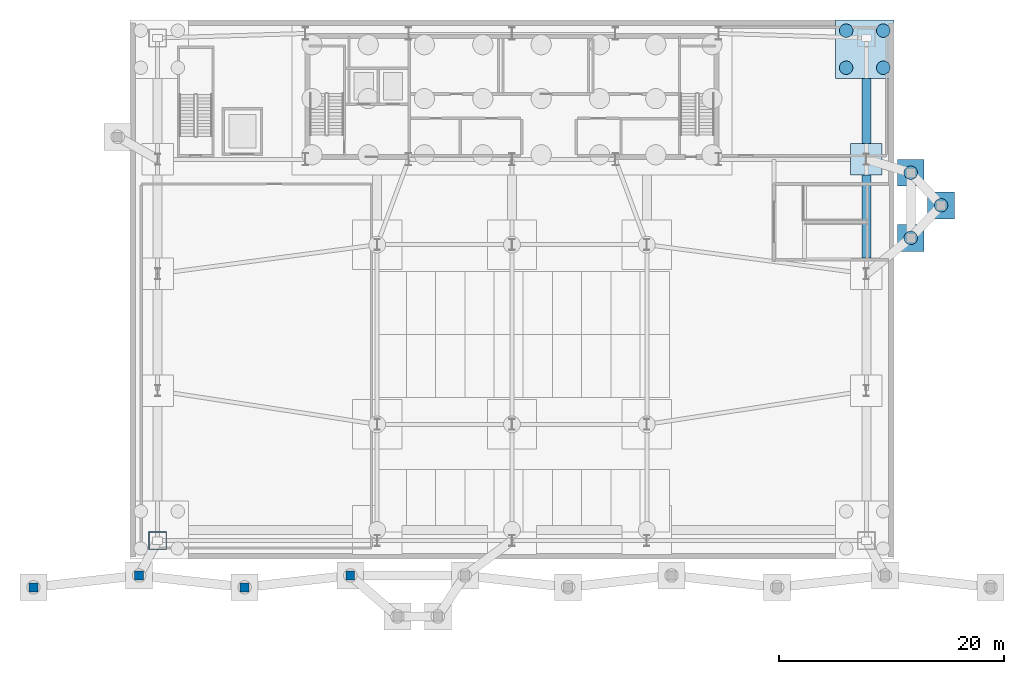
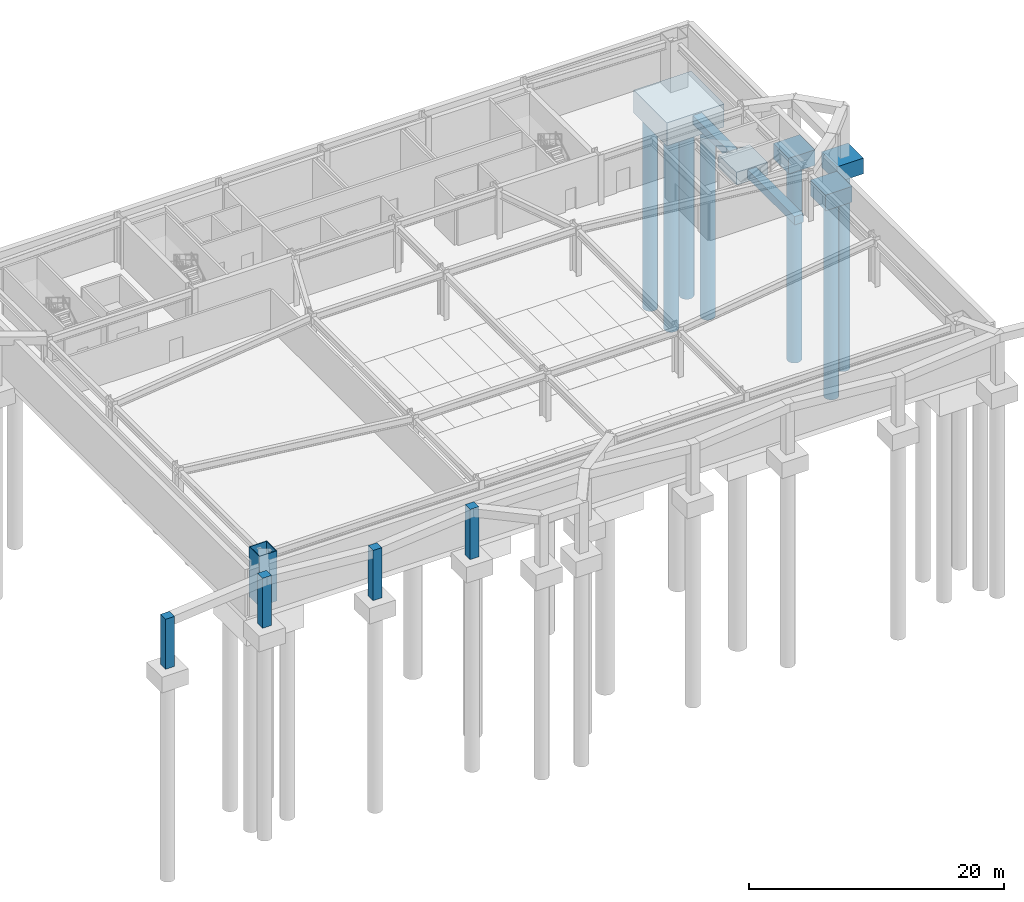
# One storey, part 2 of 12: 7 footings, 7 piles, 5 columns.
"""IFC4 building model written with IfcOpenShell, lengths in metres."""

from ifc_helpers import new_model, si_unit, direction, frame, origin, origin_2d, place, context, subcontext, project, spatial, polyline, rectangle, hollow_rectangle, circle, outline, extrude, source, transform, mapped, material, material_profile, profile_set, type_object, type_shapes, element, save


model = new_model("IFC4")

# Units and contexts
model_context = context("Model", 3, precision=1e-05, world=origin(), true_north=direction((0.0, 1.0)))
body_context = subcontext(model_context, "Body", "Model", "MODEL_VIEW")
ifc_project = project(units=[si_unit("LENGTHUNIT", "METRE"), si_unit("AREAUNIT", "SQUARE_METRE"), si_unit("VOLUMEUNIT", "CUBIC_METRE"), si_unit("PLANEANGLEUNIT", "RADIAN"), si_unit("MASSUNIT", "GRAM", prefix="KILO")], contexts=[model_context])

# Site, building, storey
site_placement = place(None, origin())
site = spatial("IfcSite", under=ifc_project, at=site_placement, CompositionType="ELEMENT")
building_placement = place(site_placement, origin())
building = spatial("IfcBuilding", under=site, at=building_placement, Name="Varnel Quay Broadcast Tower", CompositionType="ELEMENT")
storey_placement = place(building_placement, frame((0.0, 0.0, -9.60009765625)))
storey = spatial("IfcBuildingStorey", under=building, at=storey_placement, Name="B2", CompositionType="ELEMENT", Elevation=-9.60009765625)

# Footings
ifc_material_1 = material(Name="Concrete CSA A23.3 C50/60", Category="concrete")
footing_type_1 = type_object("IfcFootingType", Name="Footing_MegaCap5200", PredefinedType="PILE_CAP", material=ifc_material_1)
footing_1_placement = place(storey_placement, frame((0.0, 0.0, -2.699951171875)))
element("IfcFooting", 1, at=footing_1_placement, inside=storey, type_object=footing_type_1, Name="Mega-Column Pile Cap FT-MC-NE", PredefinedType="PILE_CAP", context=body_context, shape_type="SweptSolid", body=[
    extrude(outline(polyline([(62.800048828125, 42.800048828125), (68.0, 42.800048828125), (68.0, 48.0), (62.800048828125, 48.0), (62.800048828125, 42.800048828125)])), origin(), (0.0, 0.0, 1.0), 2.199951171875),
])
footing_type_2 = type_object("IfcFootingType", Name="Footing_Pad2800", PredefinedType="PAD_FOOTING", material=ifc_material_1)
footing_2_placement = place(storey_placement, frame((0.0, 0.0, -1.699951171875)))
element("IfcFooting", 2, at=footing_2_placement, inside=storey, type_object=footing_type_2, Name="Perimeter Pad Footing PF14", PredefinedType="PAD_FOOTING", context=body_context, shape_type="SweptSolid", body=[
    extrude(outline(polyline([(64.14990234375, 34.199951171875), (66.949951171875, 34.199951171875), (66.949951171875, 37.0), (64.14990234375, 37.0), (64.14990234375, 34.199951171875)])), origin(), (0.0, 0.0, 1.0), 1.199951171875),
])
footing_type_3 = type_object("IfcFootingType", Name="Footing_PromCap2400", PredefinedType="PILE_CAP", material=ifc_material_1)
footing_3_placement = place(storey_placement, frame((0.0, 0.0, -1.5)))
element("IfcFooting", 3, at=footing_3_placement, inside=storey, type_object=footing_type_3, Name="Exterior Pier Pile Cap EAPR1", PredefinedType="PILE_CAP", context=body_context, shape_type="SweptSolid", body=[
    extrude(outline(polyline([(68.300048828125, 27.39990234375), (70.699951171875, 27.39990234375), (70.699951171875, 29.800048828125), (68.300048828125, 29.800048828125), (68.300048828125, 27.39990234375)])), origin(), (0.0, 0.0, 1.0), 1.5),
])
footing_4_placement = place(storey_placement, frame((0.0, 0.0, -1.5)))
element("IfcFooting", 4, at=footing_4_placement, inside=storey, type_object=footing_type_3, Name="Exterior Pier Pile Cap EAPR2", PredefinedType="PILE_CAP", context=body_context, shape_type="SweptSolid", body=[
    extrude(outline(polyline([(68.300048828125, 33.199951171875), (70.699951171875, 33.199951171875), (70.699951171875, 35.60009765625), (68.300048828125, 35.60009765625), (68.300048828125, 33.199951171875)])), origin(), (0.0, 0.0, 1.0), 1.5),
])
footing_5_placement = place(storey_placement, frame((0.0, 0.0, -1.5)))
element("IfcFooting", 5, at=footing_5_placement, inside=storey, type_object=footing_type_3, Name="Exterior Pier Pile Cap EAPR3", PredefinedType="PILE_CAP", context=body_context, shape_type="SweptSolid", body=[
    extrude(outline(polyline([(71.0, 30.300048828125), (73.39990234375, 30.300048828125), (73.39990234375, 32.699951171875), (71.0, 32.699951171875), (71.0, 30.300048828125)])), origin(), (0.0, 0.0, 1.0), 1.5),
])

# Piles
ifc_material_profile_1 = material_profile(ifc_material_1, circle(Radius=0.60009765625, at=origin_2d()), Name="CAISSON1200")
ifc_profile_set_1 = profile_set([ifc_material_profile_1], Name="Concrete CSA A23.3 C50/60")
pile_type = type_object("IfcPileType", Name="Pile_CAISSON1200", PredefinedType="BORED", material=ifc_profile_set_1)
shared_shape_1 = source(origin(), body_context, "Body", "SweptSolid", [
    extrude(circle(Radius=0.60009765625, at=origin_2d()), origin(), (0.0, 0.0, 1.0), 18.5),
])
for number, where, z_axis, x_axis, name in (
    (6, (63.75, 43.75, -2.5498046875), (0.0, 0.0, -1.0), (1.0, 0.0, 0.0), "Mega-Cap Caisson P-1200 #33"),
    (7, (63.75, 47.050048828125, -2.5498046875), (0.0, 0.0, -1.0), (1.0, 0.0, 0.0), "Mega-Cap Caisson P-1200 #34"),
    (8, (67.050048828125, 43.75, -2.5498046875), (0.0, 0.0, -1.0), (1.0, 0.0, 0.0), "Mega-Cap Caisson P-1200 #35"),
    (9, (67.050048828125, 47.050048828125, -2.5498046875), (0.0, 0.0, -1.0), (1.0, 0.0, 0.0), "Mega-Cap Caisson P-1200 #36"),
):
    element("IfcPile", number, at=place(storey_placement, frame(where, z_axis=z_axis, x_axis=x_axis)), inside=storey, type_object=pile_type, Name=name, PredefinedType="BORED", context=body_context, shape_type="MappedRepresentation", body=[
        mapped(shared_shape_1, transform((0.0, 0.0, 0.0), x_axis=(1.0, 0.0, 0.0), y_axis=(0.0, 1.0, 0.0), z_axis=(0.0, 0.0, 1.0), scale=1.0)),
    ])

# Footings
ifc_material_profile_2 = material_profile(ifc_material_1, rectangle(XDim=0.800048828125, YDim=0.800048828125, at=origin_2d()), Name="RC800X800")
ifc_profile_set_2 = profile_set([ifc_material_profile_2], Name="Concrete CSA A23.3 C50/60")
footing_type_4 = type_object("IfcFootingType", Name="Footing_TieBeam800", PredefinedType="FOOTING_BEAM", material=ifc_profile_set_2)
shared_shape_2 = source(origin(), body_context, "Body", "SweptSolid", [
    extrude(rectangle(XDim=0.800048828125, YDim=0.800048828125, at=origin_2d()), origin(), (0.0, 0.0, 1.0), 7.39990234375),
])
footing_6_placement = place(storey_placement, frame((65.550048828125, 26.800048828125, -1.0), z_axis=(0.0, 1.0, 0.0), x_axis=(-1.0, 0.0, 0.0)))
element("IfcFooting", 10, at=footing_6_placement, inside=storey, type_object=footing_type_4, Name="Footing Tie Beam FB-E3", PredefinedType="FOOTING_BEAM", context=body_context, shape_type="MappedRepresentation", body=[
    mapped(shared_shape_2, transform((0.0, 0.0, 0.0), x_axis=(1.0, 0.0, 0.0), y_axis=(0.0, 1.0, 0.0), z_axis=(0.0, 0.0, 1.0), scale=1.0)),
])
shared_shape_3 = source(origin(), body_context, "Body", "SweptSolid", [
    extrude(rectangle(XDim=0.800048828125, YDim=0.800048828125, at=origin_2d()), origin(), (0.0, 0.0, 1.0), 5.800048828125),
])
type_shapes(footing_type_4, [shared_shape_2, shared_shape_3])
footing_7_placement = place(storey_placement, frame((65.550048828125, 37.0, -1.0), z_axis=(0.0, 1.0, 0.0), x_axis=(-1.0, 0.0, 0.0)))
element("IfcFooting", 11, at=footing_7_placement, inside=storey, type_object=footing_type_4, Name="Footing Tie Beam FB-E4", PredefinedType="FOOTING_BEAM", context=body_context, shape_type="MappedRepresentation", body=[
    mapped(shared_shape_3, transform((0.0, 0.0, 0.0), x_axis=(1.0, 0.0, 0.0), y_axis=(0.0, 1.0, 0.0), z_axis=(0.0, 0.0, 1.0), scale=1.0)),
])

# Piles
shared_shape_4 = source(origin(), body_context, "Body", "SweptSolid", [
    extrude(circle(Radius=0.60009765625, at=origin_2d()), origin(), (0.0, 0.0, 1.0), 19.0),
])
type_shapes(pile_type, [shared_shape_1, shared_shape_4])
for number, where, z_axis, x_axis, name in (
    (12, (69.5, 28.60009765625, -1.349853515625), (0.0, 0.0, -1.0), (1.0, 0.0, 0.0), "Exterior Pier Caisson P-1200 #62"),
    (13, (69.5, 34.39990234375, -1.349853515625), (0.0, 0.0, -1.0), (1.0, 0.0, 0.0), "Exterior Pier Caisson P-1200 #63"),
    (14, (72.199951171875, 31.5, -1.349853515625), (0.0, 0.0, -1.0), (1.0, 0.0, 0.0), "Exterior Pier Caisson P-1200 #64"),
):
    element("IfcPile", number, at=place(storey_placement, frame(where, z_axis=z_axis, x_axis=x_axis)), inside=storey, type_object=pile_type, Name=name, PredefinedType="BORED", context=body_context, shape_type="MappedRepresentation", body=[
        mapped(shared_shape_4, transform((0.0, 0.0, 0.0), x_axis=(1.0, 0.0, 0.0), y_axis=(0.0, 1.0, 0.0), z_axis=(0.0, 0.0, 1.0), scale=1.0)),
    ])

# Columns
ifc_material_profile_3 = material_profile(ifc_material_1, rectangle(XDim=0.800048828125, YDim=0.800048828125, at=origin_2d()), Name="RC800X800")
ifc_profile_set_3 = profile_set([ifc_material_profile_3], Name="Concrete CSA A23.3 C50/60")
column_type_1 = type_object("IfcColumnType", Name="Col_RC800X800", PredefinedType="COLUMN", material=ifc_profile_set_3)
shared_shape_5 = source(origin(), body_context, "Body", "SweptSolid", [
    extrude(rectangle(XDim=0.800048828125, YDim=0.800048828125, at=origin_2d()), origin(), (0.0, 0.0, 1.0), 4.800048828125),
])
type_shapes(column_type_1, [shared_shape_5])
for number, where, z_axis, x_axis, name in (
    (15, (-8.60009765625, -2.5, 0.0), (0.0, 0.0, 1.0), (1.0, 0.0, 0.0), "B2 Exterior Pier Column PRM01"),
    (16, (0.800048828125, -1.449951171875, 0.0), (0.0, 0.0, 1.0), (1.0, 0.0, 0.0), "B2 Exterior Pier Column PRM02"),
    (17, (10.199951171875, -2.5, 0.0), (0.0, 0.0, 1.0), (1.0, 0.0, 0.0), "B2 Exterior Pier Column PRM03"),
    (18, (19.60009765625, -1.449951171875, 0.0), (0.0, 0.0, 1.0), (1.0, 0.0, 0.0), "B2 Exterior Pier Column PRM04"),
):
    element("IfcColumn", number, at=place(storey_placement, frame(where, z_axis=z_axis, x_axis=x_axis)), inside=storey, type_object=column_type_1, Name=name, PredefinedType="COLUMN", context=body_context, shape_type="MappedRepresentation", body=[
        mapped(shared_shape_5, transform((0.0, 0.0, 0.0), x_axis=(1.0, 0.0, 0.0), y_axis=(0.0, 1.0, 0.0), z_axis=(0.0, 0.0, 1.0), scale=1.0)),
    ])
ifc_material_2 = material(Name="Structural Steel CSA G40.21 350WT", Category="steel")
ifc_material_profile_4 = material_profile(ifc_material_2, hollow_rectangle(XDim=1.60009765625, YDim=1.60009765625, WallThickness=0.06005859375, at=origin_2d()), Name="BOX1600X1600X60")
ifc_profile_set_4 = profile_set([ifc_material_profile_4], Name="Structural Steel CSA G40.21 350WT")
column_type_2 = type_object("IfcColumnType", Name="Col_BOX1600X1600X60", PredefinedType="COLUMN", material=ifc_profile_set_4)
shared_shape_6 = source(origin(), body_context, "Body", "SweptSolid", [
    extrude(hollow_rectangle(XDim=1.60009765625, YDim=1.60009765625, WallThickness=0.06005859375, at=origin_2d()), origin(), (0.0, 0.0, 1.0), 4.800048828125),
])
type_shapes(column_type_2, [shared_shape_6])
column_placement = place(storey_placement, frame((2.449951171875, 1.64990234375, 0.0), z_axis=(0.0, 0.0, 1.0), x_axis=(1.0, 0.0, 0.0)))
element("IfcColumn", 19, at=column_placement, inside=storey, type_object=column_type_2, Name="B2 Column MC-SW", PredefinedType="COLUMN", context=body_context, shape_type="MappedRepresentation", body=[
    mapped(shared_shape_6, transform((0.0, 0.0, 0.0), x_axis=(1.0, 0.0, 0.0), y_axis=(0.0, 1.0, 0.0), z_axis=(0.0, 0.0, 1.0), scale=1.0)),
])

save(model, "model.ifc")
